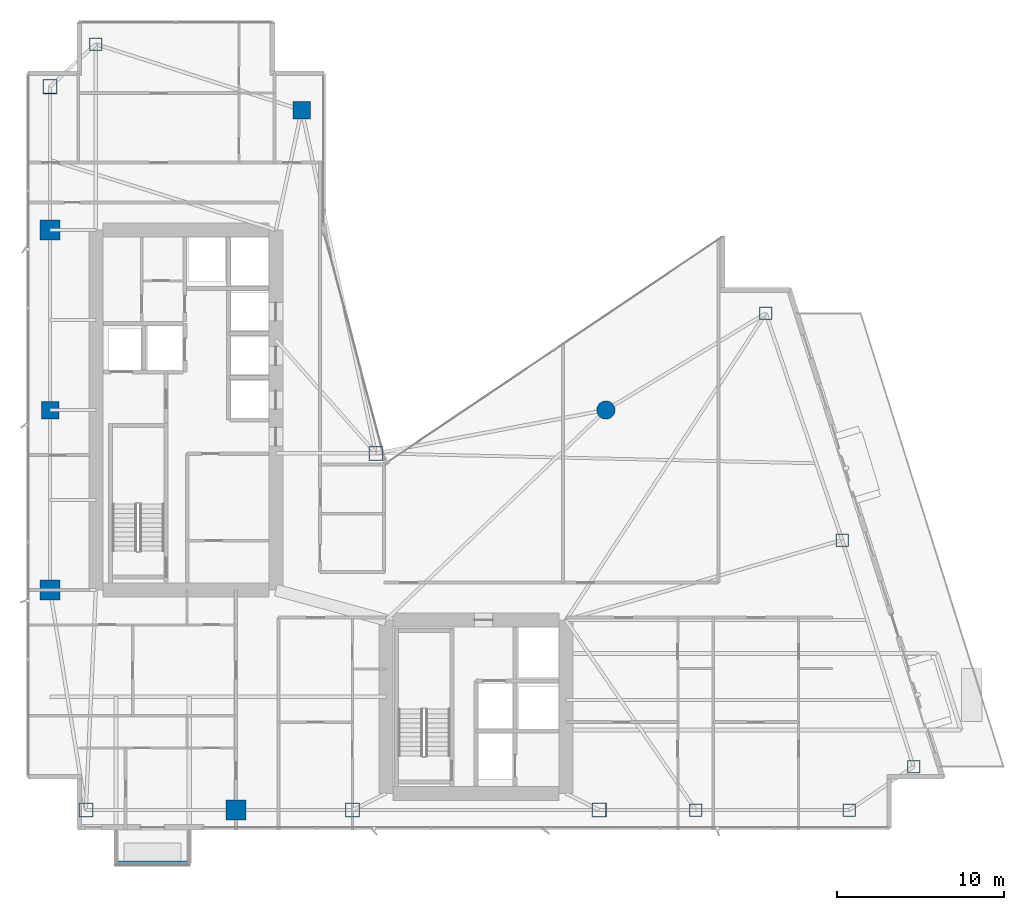
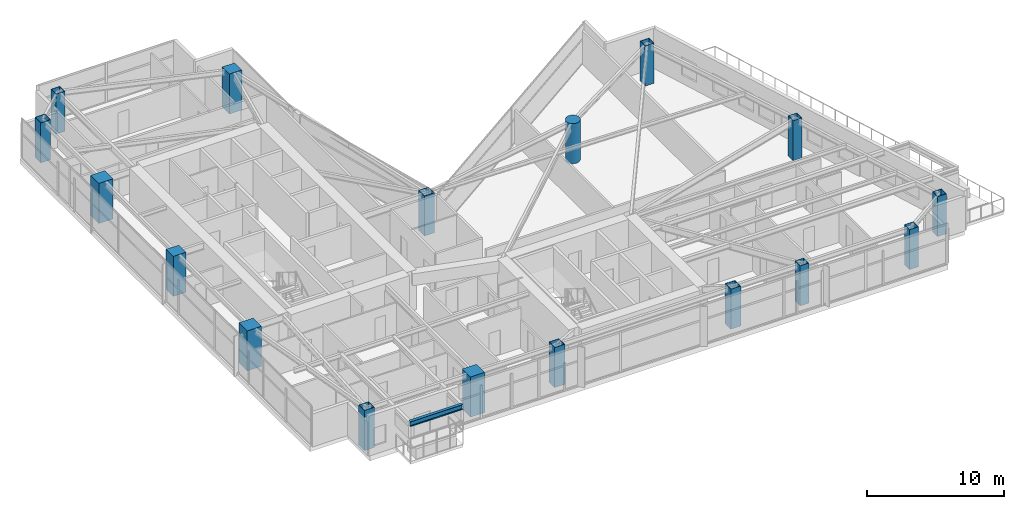
# One storey, part 1 of 30: 17 columns, 1 beam.
"""IFC4 building model written with IfcOpenShell, lengths in metres."""

from ifc_helpers import new_model, si_unit, direction, frame, origin, origin_2d, place, context, subcontext, project, spatial, rectangle, hollow_rectangle, circle, i_section, extrude, material, material_profile, profile_set, type_object, element, save


model = new_model("IFC4")

# Units and contexts
model_context = context("Model", 3, precision=1e-05, world=origin(), true_north=direction((0.0, 1.0)))
body_context = subcontext(model_context, "Body", "Model", "MODEL_VIEW")
ifc_project = project(units=[si_unit("LENGTHUNIT", "METRE"), si_unit("AREAUNIT", "SQUARE_METRE"), si_unit("VOLUMEUNIT", "CUBIC_METRE"), si_unit("PLANEANGLEUNIT", "RADIAN"), si_unit("MASSUNIT", "GRAM", prefix="KILO")], contexts=[model_context])

# Site, building, storey
site_placement = place(None, origin())
site = spatial("IfcSite", under=ifc_project, at=site_placement, CompositionType="ELEMENT")
building_placement = place(site_placement, origin())
building = spatial("IfcBuilding", under=site, at=building_placement, Name="Calvorn Quay Hotel", CompositionType="ELEMENT")
storey_placement = place(building_placement, frame((0.0, 0.0, 191.300048828125)))
storey = spatial("IfcBuildingStorey", under=building, at=storey_placement, Name="L47", CompositionType="ELEMENT", Elevation=191.300048828125)

# Columns
ifc_material_1 = material(Name="Concrete C50", Category="concrete")
ifc_material_profile_1 = material_profile(ifc_material_1, rectangle(XDim=1.050048828125, YDim=1.050048828125, at=origin_2d()), Name="RC1050x1050")
ifc_profile_set_1 = profile_set([ifc_material_profile_1], Name="Concrete C50")
column_type_1 = type_object("IfcColumnType", Name="COL-RC-1050", PredefinedType="COLUMN", material=ifc_profile_set_1)
for number, where, z_axis, x_axis, name in (
    (1, (1.449951171875, 27.60009765625, 0.0), (0.0, 0.0, 1.0), (1.0, 0.0, 0.0), "Column C-W3 (L47)"),
    (2, (16.550048828125, 45.60009765625, 0.0), (0.0, 0.0, 1.0), (1.0, 0.0, 0.0), "Column C-IC1 (L47)"),
):
    element("IfcColumn", number, at=place(storey_placement, frame(where, z_axis=z_axis, x_axis=x_axis)), inside=storey, type_object=column_type_1, Name=name, PredefinedType="COLUMN", context=body_context, shape_type="SweptSolid", body=[
        extrude(rectangle(XDim=1.050048828125, YDim=1.050048828125, at=origin_2d()), origin(), (0.0, 0.0, 1.0), 3.56005859375),
    ])
ifc_material_2 = material(Name="Concrete C50", Category="concrete")
ifc_material_profile_2 = material_profile(ifc_material_2, rectangle(XDim=1.199951171875, YDim=1.199951171875, at=origin_2d()), Name="RC1200x1200")
ifc_profile_set_2 = profile_set([ifc_material_profile_2], Name="Concrete C50")
column_type_2 = type_object("IfcColumnType", Name="COL-RC-1200", PredefinedType="COLUMN", material=ifc_profile_set_2)
for number, where, z_axis, x_axis, name in (
    (3, (1.449951171875, 16.800048828125, 0.0), (0.0, 0.0, 1.0), (1.0, 0.0, 0.0), "Column C-W2 (L47)"),
    (4, (1.449951171875, 38.39990234375, 0.0), (0.0, 0.0, 1.0), (1.0, 0.0, 0.0), "Column C-W4 (L47)"),
    (5, (12.60009765625, 3.60009765625, 0.0), (0.0, 0.0, 1.0), (1.0, 0.0, 0.0), "Column C-S1 (L47)"),
):
    element("IfcColumn", number, at=place(storey_placement, frame(where, z_axis=z_axis, x_axis=x_axis)), inside=storey, type_object=column_type_2, Name=name, PredefinedType="COLUMN", context=body_context, shape_type="SweptSolid", body=[
        extrude(rectangle(XDim=1.199951171875, YDim=1.199951171875, at=origin_2d()), origin(), (0.0, 0.0, 1.0), 3.56005859375),
    ])
ifc_material_3 = material(Name="Concrete C50", Category="concrete")
ifc_material_profile_3 = material_profile(ifc_material_3, circle(Radius=0.550048828125, at=origin_2d()), Name="RCD1100")
ifc_profile_set_3 = profile_set([ifc_material_profile_3], Name="Concrete C50")
column_type_3 = type_object("IfcColumnType", Name="COL-RC-D1100", PredefinedType="COLUMN", material=ifc_profile_set_3)
column_placement = place(storey_placement, frame((34.800048828125, 27.60009765625, 0.0), z_axis=(0.0, 0.0, 1.0), x_axis=(1.0, 0.0, 0.0)))
element("IfcColumn", 6, at=column_placement, inside=storey, type_object=column_type_3, Name="Column C-NC1 (L47)", PredefinedType="COLUMN", context=body_context, shape_type="SweptSolid", body=[
    extrude(circle(Radius=0.550048828125, at=origin_2d()), origin(), (0.0, 0.0, 1.0), 3.56005859375),
])
ifc_material_4 = material(Name="Steel Q390GJC", Category="steel")
ifc_material_profile_4 = material_profile(ifc_material_4, hollow_rectangle(XDim=0.85009765625, YDim=0.85009765625, WallThickness=0.035888671875, at=origin_2d()), Name="BOX850x850x36")
ifc_profile_set_4 = profile_set([ifc_material_profile_4], Name="Steel Q390GJC")
column_type_4 = type_object("IfcColumnType", Name="COL-STL-Z2", PredefinedType="COLUMN", material=ifc_profile_set_4)
for number, where, z_axis, x_axis, name in (
    (7, (3.60009765625, 3.60009765625, 0.0), (0.0, 0.0, 1.0), (1.0, 0.0, 0.0), "Column C-W1 (L47)"),
    (8, (1.449951171875, 47.0, 0.0), (0.0, 0.0, 1.0), (1.0, 0.0, 0.0), "Column C-W5 (L47)"),
    (9, (21.0, 25.0, 0.0), (0.0, 0.0, 1.0), (1.0, 0.0, 0.0), "Column C-IC2 (L47)"),
    (10, (19.60009765625, 3.60009765625, 0.0), (0.0, 0.0, 1.0), (1.0, 0.0, 0.0), "Column C-S2 (L47)"),
    (11, (34.39990234375, 3.60009765625, 0.0), (0.0, 0.0, 1.0), (1.0, 0.0, 0.0), "Column C-S3 (L47)"),
):
    element("IfcColumn", number, at=place(storey_placement, frame(where, z_axis=z_axis, x_axis=x_axis)), inside=storey, type_object=column_type_4, Name=name, PredefinedType="COLUMN", context=body_context, shape_type="SweptSolid", body=[
        extrude(hollow_rectangle(XDim=0.85009765625, YDim=0.85009765625, WallThickness=0.035888671875, at=origin_2d()), origin(), (0.0, 0.0, 1.0), 3.56005859375),
    ])
ifc_material_5 = material(Name="Steel Q390GJC", Category="steel")
ifc_material_profile_5 = material_profile(ifc_material_5, hollow_rectangle(XDim=0.75, YDim=0.75, WallThickness=0.031982421875, at=origin_2d()), Name="BOX750x750x32")
ifc_profile_set_5 = profile_set([ifc_material_profile_5], Name="Steel Q390GJC")
column_type_5 = type_object("IfcColumnType", Name="COL-STL-Z3", PredefinedType="COLUMN", material=ifc_profile_set_5)
for number, where, z_axis, x_axis, name in (
    (12, (4.199951171875, 49.550048828125, 0.0), (0.0, 0.0, 1.0), (1.0, 0.0, 0.0), "Column C-NW1 (L47)"),
    (13, (40.199951171875, 3.60009765625, 0.0), (0.0, 0.0, 1.0), (1.0, 0.0, 0.0), "Column C-S4 (L47)"),
    (14, (49.39990234375, 3.60009765625, 0.0), (0.0, 0.0, 1.0), (1.0, 0.0, 0.0), "Column C-S5 (L47)"),
    (15, (53.260986328125, 6.199951171875, 0.0), (0.0, 0.0, 1.0), (1.0, 0.0, 0.0), "Column C-ET1 (L47)"),
    (16, (48.97607421875, 19.800048828125, 0.0), (0.0, 0.0, 1.0), (1.0, 0.0, 0.0), "Column C-ET2 (L47)"),
    (17, (44.39111328125, 33.39990234375, 0.0), (0.0, 0.0, 1.0), (1.0, 0.0, 0.0), "Column C-ET3 (L47)"),
):
    element("IfcColumn", number, at=place(storey_placement, frame(where, z_axis=z_axis, x_axis=x_axis)), inside=storey, type_object=column_type_5, Name=name, PredefinedType="COLUMN", context=body_context, shape_type="SweptSolid", body=[
        extrude(hollow_rectangle(XDim=0.75, YDim=0.75, WallThickness=0.031982421875, at=origin_2d()), origin(), (0.0, 0.0, 1.0), 3.56005859375),
    ])

# Beam
ifc_material_6 = material(Name="Steel Q355B", Category="steel")
ifc_material_profile_6 = material_profile(ifc_material_6, i_section(OverallWidth=0.25, OverallDepth=0.449951171875, WebThickness=0.011962890625, FlangeThickness=0.01611328125, FilletRadius=0.01611328125, at=origin_2d()), Name="HN450x250x12x16")
ifc_profile_set_6 = profile_set([ifc_material_profile_6], Name="Steel Q355B")
beam_type = type_object("IfcBeamType", Name="BM-CANT-BALC", PredefinedType="BEAM", material=ifc_profile_set_6)
beam_placement = place(storey_placement, frame((5.39990234375, 0.409912109375, 3.31494140625), z_axis=(1.0, 0.0, 0.0), x_axis=(0.0, 1.0, 0.0)))
element("IfcBeam", 18, at=beam_placement, inside=storey, type_object=beam_type, Name="Beam BCBO-L48-2", PredefinedType="BEAM", context=body_context, shape_type="SweptSolid", body=[
    extrude(i_section(OverallWidth=0.25, OverallDepth=0.449951171875, WebThickness=0.011962890625, FlangeThickness=0.01611328125, FilletRadius=0.01611328125, at=origin_2d()), origin(), (0.0, 0.0, 1.0), 4.400146484375),
])

save(model, "model.ifc")
